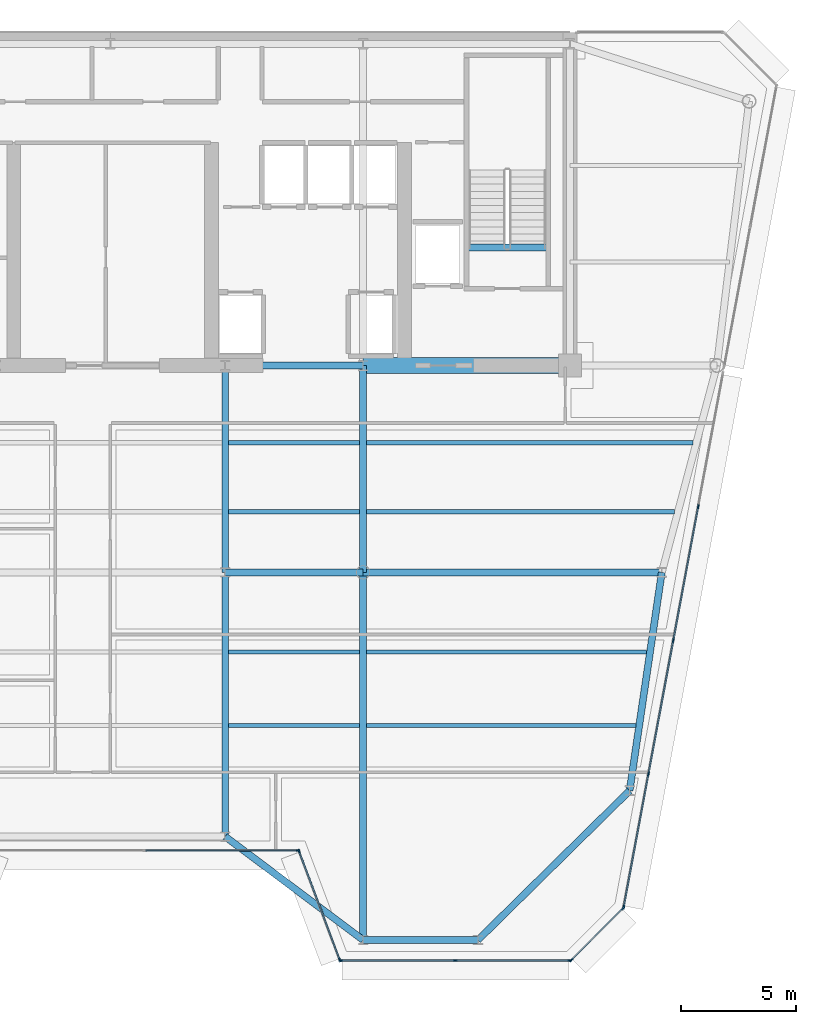
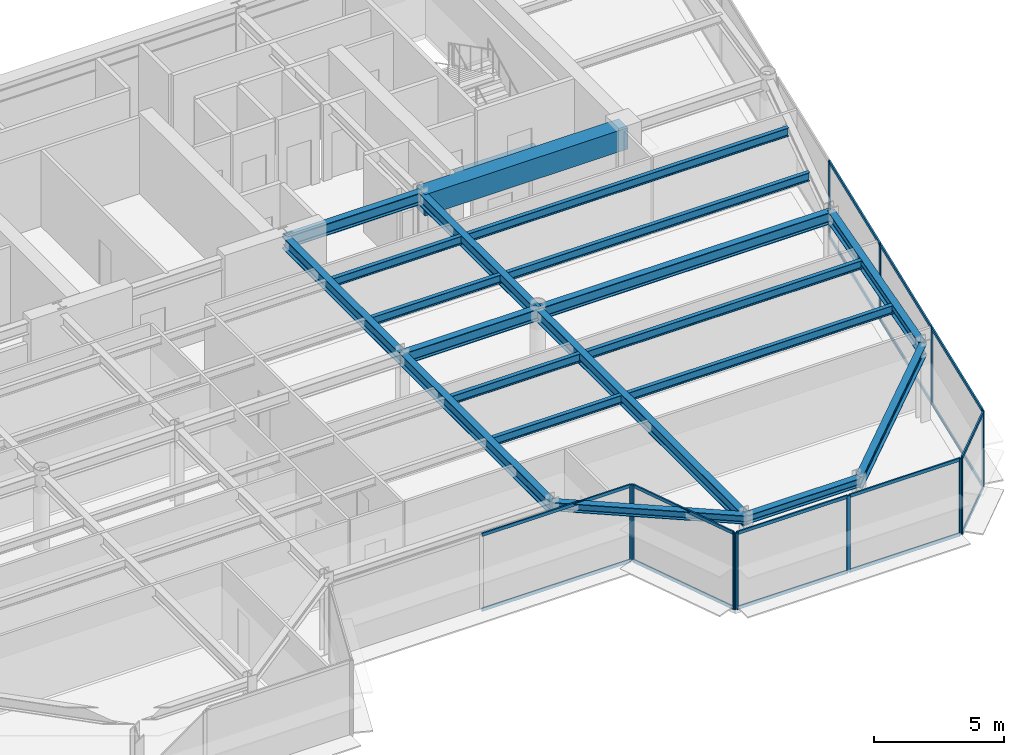
# One storey, part 5 of 18: 28 members, 21 beams, 5 elements without a shape of their own.
"""IFC4 building model written with IfcOpenShell, lengths in metres."""

from ifc_helpers import new_model, si_unit, direction, frame, origin, origin_2d, place, context, subcontext, project, spatial, rectangle, i_section, extrude, source, transform, mapped, material, layer, layer_set, material_profile, profile_set, type_object, element, aggregate, save


model = new_model("IFC4")

# Units and contexts
model_context = context("Model", 3, precision=1e-05, world=origin(), true_north=direction((0.0, 1.0)))
body_context = subcontext(model_context, "Body", "Model", "MODEL_VIEW")
ifc_project = project(units=[si_unit("LENGTHUNIT", "METRE"), si_unit("AREAUNIT", "SQUARE_METRE"), si_unit("VOLUMEUNIT", "CUBIC_METRE"), si_unit("PLANEANGLEUNIT", "RADIAN"), si_unit("MASSUNIT", "GRAM", prefix="KILO")], contexts=[model_context])

# Site, building, storey
site_placement = place(None, origin())
site = spatial("IfcSite", under=ifc_project, at=site_placement, CompositionType="ELEMENT")
building_placement = place(site_placement, origin())
building = spatial("IfcBuilding", under=site, at=building_placement, Name="Vaeldorn Concourse Tower", CompositionType="ELEMENT")
storey_placement = place(building_placement, frame((0.0, 0.0, 242.199951171875)))
storey = spatial("IfcBuildingStorey", under=building, at=storey_placement, Name="L62", CompositionType="ELEMENT", Elevation=242.199951171875)

# Beams
ifc_material_1 = material(Name="Concrete C50/60", Category="concrete")
ifc_material_profile_1 = material_profile(ifc_material_1, rectangle(XDim=0.699951171875, YDim=1.0, at=origin_2d()), Name="RC 700x1000")
ifc_profile_set_1 = profile_set([ifc_material_profile_1], Name="Concrete C50/60")
beam_type_1 = type_object("IfcBeamType", Name="BM-CB-RC700", PredefinedType="BEAM", material=ifc_profile_set_1)
shared_shape_1 = source(origin(), body_context, "Body", "SweptSolid", [
    extrude(rectangle(XDim=0.699951171875, YDim=1.0, at=origin_2d()), origin(), (0.0, 0.0, 1.0), 9.0),
])
beam_1_placement = place(storey_placement, frame((45.0, 36.5, 3.080078125), z_axis=(1.0, 0.0, 0.0), x_axis=(0.0, 1.0, 0.0)))
element("IfcBeam", 1, at=beam_1_placement, inside=storey, type_object=beam_type_1, Name="Core Coupling Beam L62-2", PredefinedType="BEAM", context=body_context, shape_type="MappedRepresentation", body=[
    mapped(shared_shape_1, transform((0.0, 0.0, 0.0), scale=1.0)),
])
ifc_material_2 = material(Name="Steel S355", Category="steel")
ifc_material_profile_2 = material_profile(ifc_material_2, i_section(OverallWidth=0.300048828125, OverallDepth=0.340087890625, WebThickness=0.011962890625, FlangeThickness=0.021484375, FilletRadius=0.027099609375, at=origin_2d()), Name="HEB 340")
ifc_profile_set_2 = profile_set([ifc_material_profile_2], Name="Steel S355")
beam_type_2 = type_object("IfcBeamType", Name="BM-ST-TRIM", PredefinedType="BEAM", material=ifc_profile_set_2)
shared_shape_2 = source(origin(), body_context, "Body", "SweptSolid", [
    extrude(i_section(OverallWidth=0.300048828125, OverallDepth=0.340087890625, WebThickness=0.011962890625, FlangeThickness=0.021484375, FilletRadius=0.027099609375, at=origin_2d()), origin(), (0.0, 0.0, 1.0), 3.590087890625),
])
beam_2_placement = place(storey_placement, frame((49.47998046875, 41.639892578125, -0.389892578125), z_axis=(1.0, 0.0, 0.0), x_axis=(0.0, 1.0, 0.0)))
element("IfcBeam", 2, at=beam_2_placement, inside=storey, type_object=beam_type_2, Name="Stair Landing Trimmer Beam ST-2 L62", PredefinedType="BEAM", context=body_context, shape_type="MappedRepresentation", body=[
    mapped(shared_shape_2, transform((0.0, 0.0, 0.0), scale=1.0)),
])
ifc_material_profile_3 = material_profile(ifc_material_2, i_section(OverallWidth=0.300048828125, OverallDepth=0.39990234375, WebThickness=0.013427734375, FlangeThickness=0.02392578125, FilletRadius=0.027099609375, at=origin_2d()), Name="HEB 400")
ifc_profile_set_3 = profile_set([ifc_material_profile_3], Name="Steel S355")
beam_type_3 = type_object("IfcBeamType", Name="BM-SP-HEB400", PredefinedType="SPANDREL", material=ifc_profile_set_3)
shared_shape_3 = source(origin(), body_context, "Body", "SweptSolid", [
    extrude(i_section(OverallWidth=0.300048828125, OverallDepth=0.39990234375, WebThickness=0.013427734375, FlangeThickness=0.02392578125, FilletRadius=0.027099609375, at=origin_2d()), origin(), (0.0, 0.0, 1.0), 5.0),
])
beam_3_placement = place(storey_placement, frame((45.0, 11.5, 3.380126953125), z_axis=(1.0, 0.0, 0.0), x_axis=(0.0, 1.0, 0.0)))
element("IfcBeam", 3, at=beam_3_placement, inside=storey, type_object=beam_type_3, Name="Beam BM-L62-C-SF5-C-SF6", PredefinedType="SPANDREL", context=body_context, shape_type="MappedRepresentation", body=[
    mapped(shared_shape_3, transform((0.0, 0.0, 0.0), scale=1.0)),
])
shared_shape_4 = source(origin(), body_context, "Body", "SweptSolid", [
    extrude(i_section(OverallWidth=0.300048828125, OverallDepth=0.39990234375, WebThickness=0.013427734375, FlangeThickness=0.02392578125, FilletRadius=0.027099609375, at=origin_2d()), origin(), (0.0, 0.0, 1.0), 7.5),
])
beam_4_placement = place(storey_placement, frame((39.0, 16.0, 3.380126953125), z_axis=(0.8, -0.6, 0.0), x_axis=(0.6, 0.8, 0.0)))
element("IfcBeam", 4, at=beam_4_placement, inside=storey, type_object=beam_type_3, Name="Beam BM-L62-C-SF4-C-SF5", PredefinedType="SPANDREL", context=body_context, shape_type="MappedRepresentation", body=[
    mapped(shared_shape_4, transform((0.0, 0.0, 0.0), scale=1.0)),
])
ifc_material_profile_4 = material_profile(ifc_material_2, i_section(OverallWidth=0.179931640625, OverallDepth=0.39990234375, WebThickness=0.008544921875, FlangeThickness=0.013427734375, FilletRadius=0.02099609375, at=origin_2d()), Name="IPE 400")
ifc_profile_set_4 = profile_set([ifc_material_profile_4], Name="Steel S355")
beam_type_4 = type_object("IfcBeamType", Name="BM-JS-IPE400", PredefinedType="JOIST", material=ifc_profile_set_4)
shared_shape_5 = source(origin(), body_context, "Body", "SweptSolid", [
    extrude(i_section(OverallWidth=0.179931640625, OverallDepth=0.39990234375, WebThickness=0.008544921875, FlangeThickness=0.013427734375, FilletRadius=0.02099609375, at=origin_2d()), origin(), (0.0, 0.0, 1.0), 5.7001953125),
])
for number, where, z_axis, x_axis, name in (
    (5, (39.14990234375, 20.840087890625, 3.380126953125), (1.0, 0.0, 0.0), (0.0, 1.0, 0.0), "Beam JS-L62-E2-208"),
    (6, (39.14990234375, 24.0400390625, 3.380126953125), (1.0, 0.0, 0.0), (0.0, 1.0, 0.0), "Beam JS-L62-E2-240"),
    (7, (39.14990234375, 30.139892578125, 3.380126953125), (1.0, 0.0, 0.0), (0.0, 1.0, 0.0), "Beam JS-L62-E2-301"),
    (8, (39.14990234375, 33.139892578125, 3.380126953125), (1.0, 0.0, 0.0), (0.0, 1.0, 0.0), "Beam JS-L62-E2-331"),
):
    element("IfcBeam", number, at=place(storey_placement, frame(where, z_axis=z_axis, x_axis=x_axis)), inside=storey, type_object=beam_type_4, Name=name, PredefinedType="JOIST", context=body_context, shape_type="MappedRepresentation", body=[
        mapped(shared_shape_5, transform((0.0, 0.0, 0.0), scale=1.0)),
    ])
shared_shape_6 = source(origin(), body_context, "Body", "SweptSolid", [
    extrude(i_section(OverallWidth=0.179931640625, OverallDepth=0.39990234375, WebThickness=0.008544921875, FlangeThickness=0.013427734375, FilletRadius=0.02099609375, at=origin_2d()), origin(), (0.0, 0.0, 1.0), 11.718505859375),
])
beam_5_placement = place(storey_placement, frame((45.14990234375, 20.840087890625, 3.380126953125), z_axis=(1.0, 0.0, 0.0), x_axis=(0.0, 1.0, 0.0)))
element("IfcBeam", 9, at=beam_5_placement, inside=storey, type_object=beam_type_4, Name="Beam JS-L62-E1-208", PredefinedType="JOIST", context=body_context, shape_type="MappedRepresentation", body=[
    mapped(shared_shape_6, transform((0.0, 0.0, 0.0), scale=1.0)),
])
shared_shape_7 = source(origin(), body_context, "Body", "SweptSolid", [
    extrude(i_section(OverallWidth=0.179931640625, OverallDepth=0.39990234375, WebThickness=0.008544921875, FlangeThickness=0.013427734375, FilletRadius=0.02099609375, at=origin_2d()), origin(), (0.0, 0.0, 1.0), 12.190185546875),
])
beam_6_placement = place(storey_placement, frame((45.14990234375, 24.0400390625, 3.380126953125), z_axis=(1.0, 0.0, 0.0), x_axis=(0.0, 1.0, 0.0)))
element("IfcBeam", 10, at=beam_6_placement, inside=storey, type_object=beam_type_4, Name="Beam JS-L62-E1-240", PredefinedType="JOIST", context=body_context, shape_type="MappedRepresentation", body=[
    mapped(shared_shape_7, transform((0.0, 0.0, 0.0), scale=1.0)),
])
shared_shape_8 = source(origin(), body_context, "Body", "SweptSolid", [
    extrude(i_section(OverallWidth=0.179931640625, OverallDepth=0.39990234375, WebThickness=0.008544921875, FlangeThickness=0.013427734375, FilletRadius=0.02099609375, at=origin_2d()), origin(), (0.0, 0.0, 1.0), 13.404052734375),
])
beam_7_placement = place(storey_placement, frame((45.14990234375, 30.139892578125, 3.380126953125), z_axis=(1.0, 0.0, 0.0), x_axis=(0.0, 1.0, 0.0)))
element("IfcBeam", 11, at=beam_7_placement, inside=storey, type_object=beam_type_4, Name="Beam JS-L62-E1-301", PredefinedType="JOIST", context=body_context, shape_type="MappedRepresentation", body=[
    mapped(shared_shape_8, transform((0.0, 0.0, 0.0), scale=1.0)),
])
shared_shape_9 = source(origin(), body_context, "Body", "SweptSolid", [
    extrude(i_section(OverallWidth=0.179931640625, OverallDepth=0.39990234375, WebThickness=0.008544921875, FlangeThickness=0.013427734375, FilletRadius=0.02099609375, at=origin_2d()), origin(), (0.0, 0.0, 1.0), 14.2041015625),
])
beam_8_placement = place(storey_placement, frame((45.14990234375, 33.139892578125, 3.380126953125), z_axis=(1.0, 0.0, 0.0), x_axis=(0.0, 1.0, 0.0)))
element("IfcBeam", 12, at=beam_8_placement, inside=storey, type_object=beam_type_4, Name="Beam JS-L62-E1-331", PredefinedType="JOIST", context=body_context, shape_type="MappedRepresentation", body=[
    mapped(shared_shape_9, transform((0.0, 0.0, 0.0), scale=1.0)),
])
ifc_material_profile_5 = material_profile(ifc_material_2, i_section(OverallWidth=0.300048828125, OverallDepth=0.550048828125, WebThickness=0.014892578125, FlangeThickness=0.029052734375, FilletRadius=0.027099609375, at=origin_2d()), Name="HEB 550")
ifc_profile_set_5 = profile_set([ifc_material_profile_5], Name="Steel S355")
beam_type_5 = type_object("IfcBeamType", Name="BM-PG-HEB550", PredefinedType="BEAM", material=ifc_profile_set_5)
shared_shape_10 = source(origin(), body_context, "Body", "SweptSolid", [
    extrude(i_section(OverallWidth=0.300048828125, OverallDepth=0.550048828125, WebThickness=0.014892578125, FlangeThickness=0.029052734375, FilletRadius=0.027099609375, at=origin_2d()), origin(), (0.0, 0.0, 1.0), 6.0),
])
for number, where, z_axis, x_axis, name in (
    (13, (39.0, 36.5, 3.304931640625), (1.0, 0.0, 0.0), (0.0, 1.0, 0.0), "Beam BM-L62-C-FC4-C-FC5"),
    (14, (39.0, 27.5, 3.304931640625), (1.0, 0.0, 0.0), (0.0, 1.0, 0.0), "Beam BM-L62-C-TW3-C-TW4"),
):
    element("IfcBeam", number, at=place(storey_placement, frame(where, z_axis=z_axis, x_axis=x_axis)), inside=storey, type_object=beam_type_5, Name=name, PredefinedType="BEAM", context=body_context, shape_type="MappedRepresentation", body=[
        mapped(shared_shape_10, transform((0.0, 0.0, 0.0), scale=1.0)),
    ])
shared_shape_11 = source(origin(), body_context, "Body", "SweptSolid", [
    extrude(i_section(OverallWidth=0.300048828125, OverallDepth=0.550048828125, WebThickness=0.014892578125, FlangeThickness=0.029052734375, FilletRadius=0.027099609375, at=origin_2d()), origin(), (0.0, 0.0, 1.0), 9.0),
])
for number, where, z_axis, x_axis, name in (
    (15, (39.0, 27.5, 3.304931640625), (0.0, 1.0, 0.0), (-1.0, 0.0, 0.0), "Beam BM-L62-C-TW3-C-FC4"),
    (16, (45.0, 27.5, 3.304931640625), (0.0, 1.0, 0.0), (-1.0, 0.0, 0.0), "Beam BM-L62-C-TW4-C-FC5"),
):
    element("IfcBeam", number, at=place(storey_placement, frame(where, z_axis=z_axis, x_axis=x_axis)), inside=storey, type_object=beam_type_5, Name=name, PredefinedType="BEAM", context=body_context, shape_type="MappedRepresentation", body=[
        mapped(shared_shape_11, transform((0.0, 0.0, 0.0), scale=1.0)),
    ])
shared_shape_12 = source(origin(), body_context, "Body", "SweptSolid", [
    extrude(i_section(OverallWidth=0.300048828125, OverallDepth=0.550048828125, WebThickness=0.014892578125, FlangeThickness=0.029052734375, FilletRadius=0.027099609375, at=origin_2d()), origin(), (0.0, 0.0, 1.0), 13.0),
])
beam_9_placement = place(storey_placement, frame((45.0, 27.5, 3.304931640625), z_axis=(1.0, 0.0, 0.0), x_axis=(0.0, 1.0, 0.0)))
element("IfcBeam", 17, at=beam_9_placement, inside=storey, type_object=beam_type_5, Name="Beam BM-L62-C-TW4-C-FLE1", PredefinedType="BEAM", context=body_context, shape_type="MappedRepresentation", body=[
    mapped(shared_shape_12, transform((0.0, 0.0, 0.0), scale=1.0)),
])
shared_shape_13 = source(origin(), body_context, "Body", "SweptSolid", [
    extrude(i_section(OverallWidth=0.300048828125, OverallDepth=0.550048828125, WebThickness=0.014892578125, FlangeThickness=0.029052734375, FilletRadius=0.027099609375, at=origin_2d()), origin(), (0.0, 0.0, 1.0), 9.6025390625),
])
beam_10_placement = place(storey_placement, frame((58.0, 27.5, 3.304931640625), z_axis=(-0.145783835977, -0.989316467652, 0.0), x_axis=(0.989316467652, -0.145783835977, 0.0)))
element("IfcBeam", 18, at=beam_10_placement, inside=storey, type_object=beam_type_5, Name="Beam BM-L62-C-FLE1-C-FLE2", PredefinedType="BEAM", context=body_context, shape_type="MappedRepresentation", body=[
    mapped(shared_shape_13, transform((0.0, 0.0, 0.0), scale=1.0)),
])
shared_shape_14 = source(origin(), body_context, "Body", "SweptSolid", [
    extrude(i_section(OverallWidth=0.300048828125, OverallDepth=0.550048828125, WebThickness=0.014892578125, FlangeThickness=0.029052734375, FilletRadius=0.027099609375, at=origin_2d()), origin(), (0.0, 0.0, 1.0), 9.263427734375),
])
beam_11_placement = place(storey_placement, frame((50.0, 11.5, 3.304931640625), z_axis=(0.71248897494, 0.701683305053, 0.0), x_axis=(-0.701683305053, 0.71248897494, 0.0)))
element("IfcBeam", 19, at=beam_11_placement, inside=storey, type_object=beam_type_5, Name="Beam BM-L62-C-SF6-C-FLE2", PredefinedType="BEAM", context=body_context, shape_type="MappedRepresentation", body=[
    mapped(shared_shape_14, transform((0.0, 0.0, 0.0), scale=1.0)),
])
shared_shape_15 = source(origin(), body_context, "Body", "SweptSolid", [
    extrude(i_section(OverallWidth=0.300048828125, OverallDepth=0.550048828125, WebThickness=0.014892578125, FlangeThickness=0.029052734375, FilletRadius=0.027099609375, at=origin_2d()), origin(), (0.0, 0.0, 1.0), 16.0),
])
beam_12_placement = place(storey_placement, frame((45.0, 11.5, 3.304931640625), z_axis=(0.0, 1.0, 0.0), x_axis=(-1.0, 0.0, 0.0)))
element("IfcBeam", 20, at=beam_12_placement, inside=storey, type_object=beam_type_5, Name="Beam BM-L62-C-SF5-C-TW4", PredefinedType="BEAM", context=body_context, shape_type="MappedRepresentation", body=[
    mapped(shared_shape_15, transform((0.0, 0.0, 0.0), scale=1.0)),
])
shared_shape_16 = source(origin(), body_context, "Body", "SweptSolid", [
    extrude(i_section(OverallWidth=0.300048828125, OverallDepth=0.550048828125, WebThickness=0.014892578125, FlangeThickness=0.029052734375, FilletRadius=0.027099609375, at=origin_2d()), origin(), (0.0, 0.0, 1.0), 11.5),
])
beam_13_placement = place(storey_placement, frame((39.0, 16.0, 3.304931640625), z_axis=(0.0, 1.0, 0.0), x_axis=(-1.0, 0.0, 0.0)))
element("IfcBeam", 21, at=beam_13_placement, inside=storey, type_object=beam_type_5, Name="Beam BM-L62-C-SF4-C-TW3", PredefinedType="BEAM", context=body_context, shape_type="MappedRepresentation", body=[
    mapped(shared_shape_16, transform((0.0, 0.0, 0.0), scale=1.0)),
])

# Curtain wall, members
ifc_material_3 = material(Name="Anodised Bronze Aluminium", Category="aluminium")
ifc_layer = layer(ifc_material_3, 0.179931640625)
ifc_layer_set = layer_set([ifc_layer], Name="Anodised Bronze Aluminium")
curtain_wall_type = type_object("IfcCurtainWallType", Name="CW-SYS-05", PredefinedType="NOTDEFINED", material=ifc_layer_set)
curtain_wall_1_placement = place(storey_placement, origin())
curtain_wall_1 = element("IfcCurtainWall", 22, at=curtain_wall_1_placement, inside=storey, type_object=curtain_wall_type, Name="Unitised Curtain Wall CW-L62-E04-1", PredefinedType="NOTDEFINED")
ifc_material_profile_6 = material_profile(ifc_material_3, rectangle(XDim=0.06494140625, YDim=0.14990234375, at=origin_2d()), Name="CWT 65x150")
ifc_profile_set_6 = profile_set([ifc_material_profile_6], Name="Anodised Bronze Aluminium")
member_type_1 = type_object("IfcMemberType", Name="CWT-BRONZE-150", PredefinedType="USERDEFINED", material=ifc_profile_set_6)
shared_shape_17 = source(origin(), body_context, "Body", "SweptSolid", [
    extrude(rectangle(XDim=0.06494140625, YDim=0.14990234375, at=origin_2d()), origin(), (0.0, 0.0, 1.0), 4.996337890625),
])
member_1_placement = place(storey_placement, frame((42.222900390625, 15.339111328125, 0.032470703125), z_axis=(0.351134151405, -0.936325161318, 0.0), x_axis=(0.936325161318, 0.351134151405, 0.0)))
member_1 = element("IfcMember", 23, at=member_1_placement, type_object=member_type_1, Name="CW-05 transom 1.1", ObjectType="TRANSOM", PredefinedType="USERDEFINED", context=body_context, shape_type="MappedRepresentation", body=[
    mapped(shared_shape_17, transform((0.0, 0.0, 0.0), scale=1.0)),
])
member_2_placement = place(storey_placement, frame((42.222900390625, 15.339111328125, 3.547607421875), z_axis=(0.351134151405, -0.936325161318, 0.0), x_axis=(0.936325161318, 0.351134151405, 0.0)))
member_2 = element("IfcMember", 24, at=member_2_placement, type_object=member_type_1, Name="CW-05 transom 1.2", ObjectType="TRANSOM", PredefinedType="USERDEFINED", context=body_context, shape_type="MappedRepresentation", body=[
    mapped(shared_shape_17, transform((0.0, 0.0, 0.0), scale=1.0)),
])

curtain_wall_2_placement = place(storey_placement, origin())
curtain_wall_2 = element("IfcCurtainWall", 25, at=curtain_wall_2_placement, inside=storey, type_object=curtain_wall_type, Name="Unitised Curtain Wall CW-L62-E03-1", PredefinedType="NOTDEFINED")
shared_shape_18 = source(origin(), body_context, "Body", "SweptSolid", [
    extrude(rectangle(XDim=0.06494140625, YDim=0.14990234375, at=origin_2d()), origin(), (0.0, 0.0, 1.0), 6.6025390625),
])
member_3_placement = place(storey_placement, frame((35.532470703125, 15.39990234375, 0.032470703125), z_axis=(1.0, 0.0, 0.0), x_axis=(0.0, 1.0, 0.0)))
member_3 = element("IfcMember", 26, at=member_3_placement, type_object=member_type_1, Name="CW-05 transom 2.1", ObjectType="TRANSOM", PredefinedType="USERDEFINED", context=body_context, shape_type="MappedRepresentation", body=[
    mapped(shared_shape_18, transform((0.0, 0.0, 0.0), scale=1.0)),
])
member_4_placement = place(storey_placement, frame((35.532470703125, 15.39990234375, 3.547607421875), z_axis=(1.0, 0.0, 0.0), x_axis=(0.0, 1.0, 0.0)))
member_4 = element("IfcMember", 27, at=member_4_placement, type_object=member_type_1, Name="CW-05 transom 2.2", ObjectType="TRANSOM", PredefinedType="USERDEFINED", context=body_context, shape_type="MappedRepresentation", body=[
    mapped(shared_shape_18, transform((0.0, 0.0, 0.0), scale=1.0)),
])

curtain_wall_3_placement = place(storey_placement, origin())
curtain_wall_3 = element("IfcCurtainWall", 28, at=curtain_wall_3_placement, inside=storey, type_object=curtain_wall_type, Name="Unitised Curtain Wall CW-L62-E06-1", PredefinedType="NOTDEFINED")
shared_shape_19 = source(origin(), body_context, "Body", "SweptSolid", [
    extrude(rectangle(XDim=0.06494140625, YDim=0.14990234375, at=origin_2d()), origin(), (0.0, 0.0, 1.0), 3.12255859375),
])
member_5_placement = place(storey_placement, frame((54.080078125, 10.64599609375, 0.032470703125), z_axis=(0.707106781187, 0.707106781187, 0.0), x_axis=(-0.707106781187, 0.707106781187, 0.0)))
member_5 = element("IfcMember", 29, at=member_5_placement, type_object=member_type_1, Name="CW-05 transom 1.1", ObjectType="TRANSOM", PredefinedType="USERDEFINED", context=body_context, shape_type="MappedRepresentation", body=[
    mapped(shared_shape_19, transform((0.0, 0.0, 0.0), scale=1.0)),
])
member_6_placement = place(storey_placement, frame((54.080078125, 10.64599609375, 3.547607421875), z_axis=(0.707106781187, 0.707106781187, 0.0), x_axis=(-0.707106781187, 0.707106781187, 0.0)))
member_6 = element("IfcMember", 30, at=member_6_placement, type_object=member_type_1, Name="CW-05 transom 1.2", ObjectType="TRANSOM", PredefinedType="USERDEFINED", context=body_context, shape_type="MappedRepresentation", body=[
    mapped(shared_shape_19, transform((0.0, 0.0, 0.0), scale=1.0)),
])

# Member
ifc_material_profile_7 = material_profile(ifc_material_3, rectangle(XDim=0.06494140625, YDim=0.169921875, at=origin_2d()), Name="CWM 65x170")
ifc_profile_set_7 = profile_set([ifc_material_profile_7], Name="Anodised Bronze Aluminium")
member_type_2 = type_object("IfcMemberType", Name="CWM-BRONZE-170", PredefinedType="MULLION", material=ifc_profile_set_7)
shared_shape_20 = source(origin(), body_context, "Body", "SweptSolid", [
    extrude(rectangle(XDim=0.06494140625, YDim=0.169921875, at=origin_2d()), origin(), (0.0, 0.0, 1.0), 3.580078125),
])
member_7_placement = place(storey_placement, frame((42.16748046875, 15.39990234375, 0.0), z_axis=(0.0, 0.0, 1.0), x_axis=(0.0, 1.0, 0.0)))
member_7 = element("IfcMember", 31, at=member_7_placement, type_object=member_type_2, Name="CW-05 mullion 3", PredefinedType="MULLION", context=body_context, shape_type="MappedRepresentation", body=[
    mapped(shared_shape_20, transform((0.0, 0.0, 0.0), scale=1.0)),
])

aggregate(curtain_wall_2, [member_7, member_3, member_4])

member_8_placement = place(storey_placement, frame((42.21142578125, 15.36962890625, 0.0), z_axis=(0.0, 0.0, 1.0), x_axis=(0.936329177566, 0.351123441595, 0.0)))
member_8 = element("IfcMember", 32, at=member_8_placement, type_object=member_type_2, Name="CW-05 mullion 1", PredefinedType="MULLION", context=body_context, shape_type="MappedRepresentation", body=[
    mapped(shared_shape_20, transform((0.0, 0.0, 0.0), scale=1.0)),
])

member_9_placement = place(storey_placement, frame((43.988525390625, 10.63037109375, 0.0), z_axis=(0.0, 0.0, 1.0), x_axis=(0.936329177566, 0.351123441595, 0.0)))
member_9 = element("IfcMember", 33, at=member_9_placement, type_object=member_type_2, Name="CW-05 mullion 2", PredefinedType="MULLION", context=body_context, shape_type="MappedRepresentation", body=[
    mapped(shared_shape_20, transform((0.0, 0.0, 0.0), scale=1.0)),
])

aggregate(curtain_wall_1, [member_8, member_9, member_1, member_2])

# Curtain wall, members
curtain_wall_4_placement = place(storey_placement, origin())
curtain_wall_4 = element("IfcCurtainWall", 34, at=curtain_wall_4_placement, inside=storey, type_object=curtain_wall_type, Name="Unitised Curtain Wall CW-L62-E05-1", PredefinedType="NOTDEFINED")
member_10_placement = place(storey_placement, frame((44.032470703125, 10.60009765625, 0.0), z_axis=(0.0, 0.0, 1.0), x_axis=(0.0, 1.0, 0.0)))
member_10 = element("IfcMember", 35, at=member_10_placement, type_object=member_type_2, Name="CW-05 mullion 1", PredefinedType="MULLION", context=body_context, shape_type="MappedRepresentation", body=[
    mapped(shared_shape_20, transform((0.0, 0.0, 0.0), scale=1.0)),
])
member_11_placement = place(storey_placement, frame((49.01708984375, 10.60009765625, 0.0), z_axis=(0.0, 0.0, 1.0), x_axis=(0.0, 1.0, 0.0)))
member_11 = element("IfcMember", 36, at=member_11_placement, type_object=member_type_2, Name="CW-05 mullion 2", PredefinedType="MULLION", context=body_context, shape_type="MappedRepresentation", body=[
    mapped(shared_shape_20, transform((0.0, 0.0, 0.0), scale=1.0)),
])
member_12_placement = place(storey_placement, frame((54.00146484375, 10.60009765625, 0.0), z_axis=(0.0, 0.0, 1.0), x_axis=(0.0, 1.0, 0.0)))
member_12 = element("IfcMember", 37, at=member_12_placement, type_object=member_type_2, Name="CW-05 mullion 3", PredefinedType="MULLION", context=body_context, shape_type="MappedRepresentation", body=[
    mapped(shared_shape_20, transform((0.0, 0.0, 0.0), scale=1.0)),
])

# Member
member_13_placement = place(storey_placement, frame((54.056884765625, 10.623046875, 0.0), z_axis=(0.0, 0.0, 1.0), x_axis=(-0.707106781187, 0.707106781187, 0.0)))
member_13 = element("IfcMember", 38, at=member_13_placement, type_object=member_type_2, Name="CW-05 mullion 1", PredefinedType="MULLION", context=body_context, shape_type="MappedRepresentation", body=[
    mapped(shared_shape_20, transform((0.0, 0.0, 0.0), scale=1.0)),
])

member_14_placement = place(storey_placement, frame((56.31103515625, 12.876953125, 0.0), z_axis=(0.0, 0.0, 1.0), x_axis=(-0.707106781187, 0.707106781187, 0.0)))
member_14 = element("IfcMember", 39, at=member_14_placement, type_object=member_type_2, Name="CW-05 mullion 2", PredefinedType="MULLION", context=body_context, shape_type="MappedRepresentation", body=[
    mapped(shared_shape_20, transform((0.0, 0.0, 0.0), scale=1.0)),
])

aggregate(curtain_wall_3, [member_13, member_14, member_5, member_6])

# Curtain wall, members
curtain_wall_5_placement = place(storey_placement, origin())
curtain_wall_5 = element("IfcCurtainWall", 40, at=curtain_wall_5_placement, inside=storey, type_object=curtain_wall_type, Name="Unitised Curtain Wall CW-L62-E07-1", PredefinedType="NOTDEFINED")
member_15_placement = place(storey_placement, frame((56.33984375, 12.931884765625, 0.0), z_axis=(0.0, 0.0, 1.0), x_axis=(-0.983102653673, 0.18305510739, 0.0)))
member_15 = element("IfcMember", 41, at=member_15_placement, type_object=member_type_2, Name="CW-05 mullion 1", PredefinedType="MULLION", context=body_context, shape_type="MappedRepresentation", body=[
    mapped(shared_shape_20, transform((0.0, 0.0, 0.0), scale=1.0)),
])
member_16_placement = place(storey_placement, frame((57.41796875, 18.72119140625, 0.0), z_axis=(0.0, 0.0, 1.0), x_axis=(-0.983102653673, 0.18305510739, 0.0)))
member_16 = element("IfcMember", 42, at=member_16_placement, type_object=member_type_2, Name="CW-05 mullion 2", PredefinedType="MULLION", context=body_context, shape_type="MappedRepresentation", body=[
    mapped(shared_shape_20, transform((0.0, 0.0, 0.0), scale=1.0)),
])
member_17_placement = place(storey_placement, frame((58.501953125, 24.54248046875, 0.0), z_axis=(0.0, 0.0, 1.0), x_axis=(-0.983102653673, 0.18305510739, 0.0)))
member_17 = element("IfcMember", 43, at=member_17_placement, type_object=member_type_2, Name="CW-05 mullion 3", PredefinedType="MULLION", context=body_context, shape_type="MappedRepresentation", body=[
    mapped(shared_shape_20, transform((0.0, 0.0, 0.0), scale=1.0)),
])
member_18_placement = place(storey_placement, frame((59.585693359375, 30.36376953125, 0.0), z_axis=(0.0, 0.0, 1.0), x_axis=(-0.983102653673, 0.18305510739, 0.0)))
member_18 = element("IfcMember", 44, at=member_18_placement, type_object=member_type_2, Name="CW-05 mullion 4", PredefinedType="MULLION", context=body_context, shape_type="MappedRepresentation", body=[
    mapped(shared_shape_20, transform((0.0, 0.0, 0.0), scale=1.0)),
])
shared_shape_21 = source(origin(), body_context, "Body", "SweptSolid", [
    extrude(rectangle(XDim=0.06494140625, YDim=0.14990234375, at=origin_2d()), origin(), (0.0, 0.0, 1.0), 5.82373046875),
])
member_19_placement = place(storey_placement, frame((56.345947265625, 12.9638671875, 0.032470703125), z_axis=(0.183030414843, 0.983107251139, 0.0), x_axis=(-0.983107251139, 0.183030414843, 0.0)))
member_19 = element("IfcMember", 45, at=member_19_placement, type_object=member_type_1, Name="CW-05 transom 1.1", ObjectType="TRANSOM", PredefinedType="USERDEFINED", context=body_context, shape_type="MappedRepresentation", body=[
    mapped(shared_shape_21, transform((0.0, 0.0, 0.0), scale=1.0)),
])
member_20_placement = place(storey_placement, frame((56.345947265625, 12.9638671875, 3.547607421875), z_axis=(0.183030414843, 0.983107251139, 0.0), x_axis=(-0.983107251139, 0.183030414843, 0.0)))
member_20 = element("IfcMember", 46, at=member_20_placement, type_object=member_type_1, Name="CW-05 transom 1.2", ObjectType="TRANSOM", PredefinedType="USERDEFINED", context=body_context, shape_type="MappedRepresentation", body=[
    mapped(shared_shape_21, transform((0.0, 0.0, 0.0), scale=1.0)),
])
shared_shape_22 = source(origin(), body_context, "Body", "SweptSolid", [
    extrude(rectangle(XDim=0.06494140625, YDim=0.14990234375, at=origin_2d()), origin(), (0.0, 0.0, 1.0), 5.856201171875),
])
member_21_placement = place(storey_placement, frame((57.423828125, 18.753173828125, 0.032470703125), z_axis=(0.18305503402, 0.983102667334, 0.0), x_axis=(-0.983102667334, 0.18305503402, 0.0)))
member_21 = element("IfcMember", 47, at=member_21_placement, type_object=member_type_1, Name="CW-05 transom 2.1", ObjectType="TRANSOM", PredefinedType="USERDEFINED", context=body_context, shape_type="MappedRepresentation", body=[
    mapped(shared_shape_22, transform((0.0, 0.0, 0.0), scale=1.0)),
])
member_22_placement = place(storey_placement, frame((57.423828125, 18.753173828125, 3.547607421875), z_axis=(0.18305503402, 0.983102667334, 0.0), x_axis=(-0.983102667334, 0.18305503402, 0.0)))
member_22 = element("IfcMember", 48, at=member_22_placement, type_object=member_type_1, Name="CW-05 transom 2.2", ObjectType="TRANSOM", PredefinedType="USERDEFINED", context=body_context, shape_type="MappedRepresentation", body=[
    mapped(shared_shape_22, transform((0.0, 0.0, 0.0), scale=1.0)),
])
member_23_placement = place(storey_placement, frame((58.5078125, 24.574462890625, 0.032470703125), z_axis=(0.18305503402, 0.983102667334, 0.0), x_axis=(-0.983102667334, 0.18305503402, 0.0)))
member_23 = element("IfcMember", 49, at=member_23_placement, type_object=member_type_1, Name="CW-05 transom 3.1", ObjectType="TRANSOM", PredefinedType="USERDEFINED", context=body_context, shape_type="MappedRepresentation", body=[
    mapped(shared_shape_22, transform((0.0, 0.0, 0.0), scale=1.0)),
])
member_24_placement = place(storey_placement, frame((58.5078125, 24.574462890625, 3.547607421875), z_axis=(0.18305503402, 0.983102667334, 0.0), x_axis=(-0.983102667334, 0.18305503402, 0.0)))
member_24 = element("IfcMember", 50, at=member_24_placement, type_object=member_type_1, Name="CW-05 transom 3.2", ObjectType="TRANSOM", PredefinedType="USERDEFINED", context=body_context, shape_type="MappedRepresentation", body=[
    mapped(shared_shape_22, transform((0.0, 0.0, 0.0), scale=1.0)),
])
aggregate(curtain_wall_5, [member_15, member_16, member_17, member_18, member_19, member_20, member_21, member_22, member_23, member_24])

# Member
shared_shape_23 = source(origin(), body_context, "Body", "SweptSolid", [
    extrude(rectangle(XDim=0.06494140625, YDim=0.14990234375, at=origin_2d()), origin(), (0.0, 0.0, 1.0), 4.919677734375),
])
member_25_placement = place(storey_placement, frame((44.06494140625, 10.60009765625, 0.032470703125), z_axis=(1.0, 0.0, 0.0), x_axis=(0.0, 1.0, 0.0)))
member_25 = element("IfcMember", 51, at=member_25_placement, type_object=member_type_1, Name="CW-05 transom 1.1", ObjectType="TRANSOM", PredefinedType="USERDEFINED", context=body_context, shape_type="MappedRepresentation", body=[
    mapped(shared_shape_23, transform((0.0, 0.0, 0.0), scale=1.0)),
])

member_26_placement = place(storey_placement, frame((44.06494140625, 10.60009765625, 3.547607421875), z_axis=(1.0, 0.0, 0.0), x_axis=(0.0, 1.0, 0.0)))
member_26 = element("IfcMember", 52, at=member_26_placement, type_object=member_type_1, Name="CW-05 transom 1.2", ObjectType="TRANSOM", PredefinedType="USERDEFINED", context=body_context, shape_type="MappedRepresentation", body=[
    mapped(shared_shape_23, transform((0.0, 0.0, 0.0), scale=1.0)),
])

shared_shape_24 = source(origin(), body_context, "Body", "SweptSolid", [
    extrude(rectangle(XDim=0.06494140625, YDim=0.14990234375, at=origin_2d()), origin(), (0.0, 0.0, 1.0), 4.91943359375),
])
member_27_placement = place(storey_placement, frame((49.049560546875, 10.60009765625, 0.032470703125), z_axis=(1.0, 0.0, 0.0), x_axis=(0.0, 1.0, 0.0)))
member_27 = element("IfcMember", 53, at=member_27_placement, type_object=member_type_1, Name="CW-05 transom 2.1", ObjectType="TRANSOM", PredefinedType="USERDEFINED", context=body_context, shape_type="MappedRepresentation", body=[
    mapped(shared_shape_24, transform((0.0, 0.0, 0.0), scale=1.0)),
])

member_28_placement = place(storey_placement, frame((49.049560546875, 10.60009765625, 3.547607421875), z_axis=(1.0, 0.0, 0.0), x_axis=(0.0, 1.0, 0.0)))
member_28 = element("IfcMember", 54, at=member_28_placement, type_object=member_type_1, Name="CW-05 transom 2.2", ObjectType="TRANSOM", PredefinedType="USERDEFINED", context=body_context, shape_type="MappedRepresentation", body=[
    mapped(shared_shape_24, transform((0.0, 0.0, 0.0), scale=1.0)),
])

aggregate(curtain_wall_4, [member_10, member_11, member_12, member_25, member_26, member_27, member_28])

save(model, "model.ifc")
